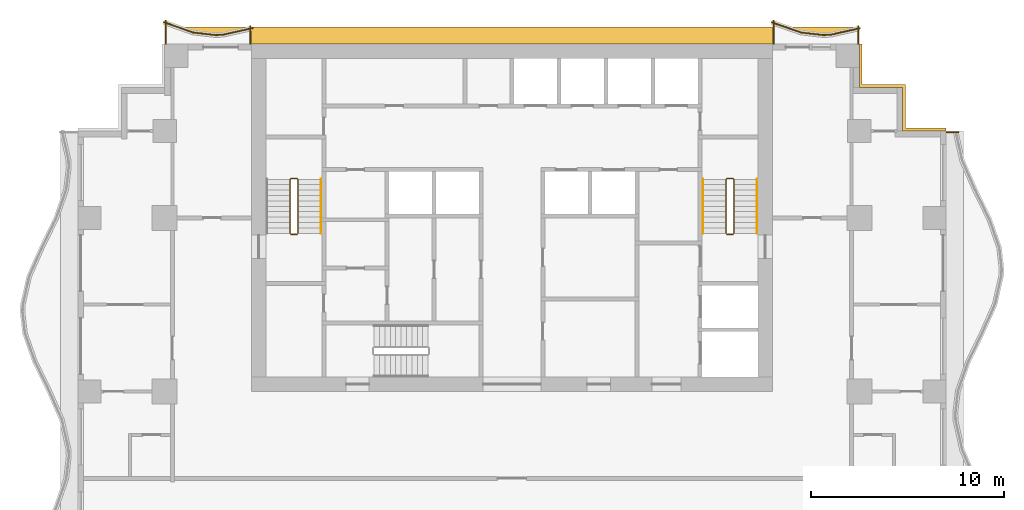
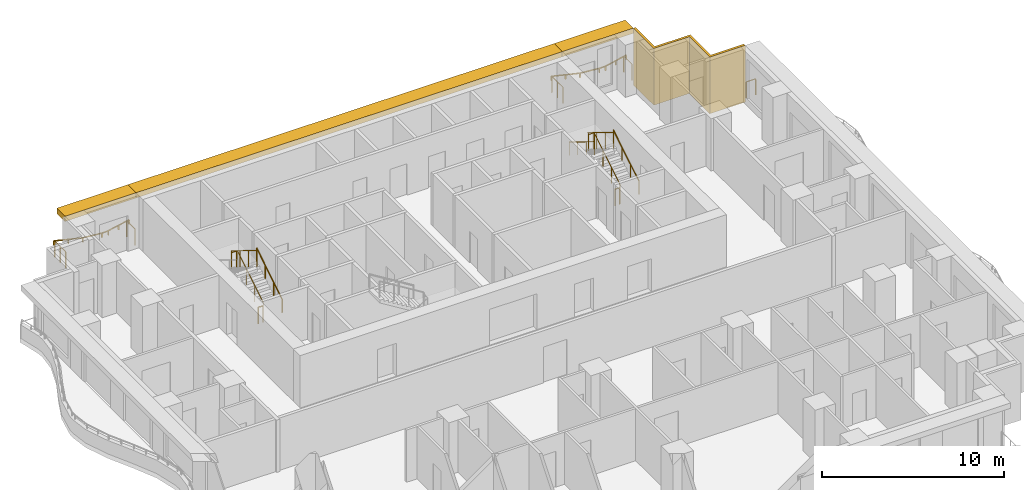
# One storey, part 10 of 10: 14 railings, 4 shading devices.
"""IFC4 building model written with IfcOpenShell, lengths in metres."""

from ifc_helpers import new_model, si_unit, direction, frame, origin, origin_2d, place, context, subcontext, project, spatial, polyline, rectangle, circle, outline, extrude, material, layer, layer_set, type_object, element, save


model = new_model("IFC4")

# Units and contexts
model_context = context("Model", 3, precision=1e-05, world=origin(), true_north=direction((0.0, 1.0)))
body_context = subcontext(model_context, "Body", "Model", "MODEL_VIEW")
ifc_project = project(units=[si_unit("LENGTHUNIT", "METRE"), si_unit("AREAUNIT", "SQUARE_METRE"), si_unit("VOLUMEUNIT", "CUBIC_METRE"), si_unit("PLANEANGLEUNIT", "RADIAN"), si_unit("MASSUNIT", "GRAM", prefix="KILO")], contexts=[model_context])

# Site, building, storey
site_placement = place(None, origin())
site = spatial("IfcSite", under=ifc_project, at=site_placement, CompositionType="ELEMENT")
building_placement = place(site_placement, origin())
building = spatial("IfcBuilding", under=site, at=building_placement, Name="Orbiselva Terraces", CompositionType="ELEMENT")
storey_placement = place(building_placement, frame((0.0, 0.0, 132.6)))
storey = spatial("IfcBuildingStorey", under=building, at=storey_placement, Name="L33", CompositionType="ELEMENT", Elevation=132.6)

# Railings
ifc_material_1 = material(Name="Stainless steel", Category="steel")
railing_type_1 = type_object("IfcRailingType", Name="CORE-GUARD-1100", PredefinedType="GUARDRAIL", material=ifc_material_1)
railing_1_placement = place(storey_placement, frame((-11.1, 12.7, 0.172727)))
element("IfcRailing", 1, at=railing_1_placement, inside=storey, type_object=railing_type_1, Name="L33 S1 stair guard 1", PredefinedType="GUARDRAIL", context=body_context, shape_type="SweptSolid", body=[
    extrude(circle(Radius=0.024, at=origin_2d()), frame((0.0, 0.0, 1.081), z_axis=(0.0, 0.851088519012, 0.52502222125), x_axis=(-1.0, 0.0, 0.0)), (0.0, 0.0, 1.0), 3.289905),
    extrude(circle(Radius=0.024, at=origin_2d()), frame((0.0, 2.8, 2.808273), z_axis=(-0.707106781187, 0.707106781187, 0.0), x_axis=(-0.707106781187, -0.707106781187, 0.0)), (0.0, 0.0, 1.0), 0.070711),
    extrude(circle(Radius=0.024, at=origin_2d()), frame((-0.05, 2.85, 2.808273), z_axis=(-1.0, 0.0, 0.0), x_axis=(0.0, -1.0, 0.0)), (0.0, 0.0, 1.0), 0.3),
    extrude(circle(Radius=0.024, at=origin_2d()), frame((-0.35, 2.85, 2.808273), z_axis=(-0.267894925557, -0.267894925557, 0.925453736133), x_axis=(0.707106781187, -0.707106781187, 0.0)), (0.0, 0.0, 1.0), 0.18664),
    extrude(circle(Radius=0.024, at=origin_2d()), frame((-0.4, 2.8, 2.981), z_axis=(0.0, -0.851088519012, 0.52502222125), x_axis=(1.0, 0.0, 0.0)), (0.0, 0.0, 1.0), 3.289905),
    extrude(circle(Radius=0.021, at=origin_2d()), origin(), (0.0, 0.0, 1.0), 1.057),
    extrude(circle(Radius=0.021, at=origin_2d()), frame((0.0, 0.933333, 0.575758)), (0.0, 0.0, 1.0), 1.057),
    extrude(circle(Radius=0.021, at=origin_2d()), frame((0.0, 1.866667, 1.151515)), (0.0, 0.0, 1.0), 1.057),
    extrude(circle(Radius=0.021, at=origin_2d()), frame((0.0, 2.8, 1.727273)), (0.0, 0.0, 1.0), 1.057),
    extrude(circle(Radius=0.021, at=origin_2d()), frame((-0.05, 2.85, 1.727273)), (0.0, 0.0, 1.0), 1.057),
    extrude(circle(Radius=0.021, at=origin_2d()), frame((-0.35, 2.85, 1.727273)), (0.0, 0.0, 1.0), 1.057),
    extrude(circle(Radius=0.021, at=origin_2d()), frame((-0.4, 2.8, 1.9)), (0.0, 0.0, 1.0), 1.057),
    extrude(circle(Radius=0.021, at=origin_2d()), frame((-0.4, 1.866667, 2.475758)), (0.0, 0.0, 1.0), 1.057),
    extrude(circle(Radius=0.021, at=origin_2d()), frame((-0.4, 0.933333, 3.051515)), (0.0, 0.0, 1.0), 1.057),
    extrude(circle(Radius=0.021, at=origin_2d()), frame((-0.4, 0.0, 3.627273)), (0.0, 0.0, 1.0), 1.057),
])
railing_2_placement = place(storey_placement, frame((-11.15, 12.65, 0.0)))
element("IfcRailing", 2, at=railing_2_placement, inside=storey, type_object=railing_type_1, Name="L33 S1 stair guard 2", PredefinedType="GUARDRAIL", context=body_context, shape_type="SweptSolid", body=[
    extrude(circle(Radius=0.024, at=origin_2d()), frame((0.0, 0.0, 1.081), z_axis=(-1.0, 0.0, 0.0), x_axis=(0.0, -1.0, 0.0)), (0.0, 0.0, 1.0), 0.3),
    extrude(circle(Radius=0.021, at=origin_2d()), origin(), (0.0, 0.0, 1.0), 1.057),
    extrude(circle(Radius=0.021, at=origin_2d()), frame((-0.3, 0.0, 0.0)), (0.0, 0.0, 1.0), 1.057),
])
railing_3_placement = place(storey_placement, frame((11.5, 12.7, 0.172727)))
element("IfcRailing", 3, at=railing_3_placement, inside=storey, type_object=railing_type_1, Name="L33 S2 stair guard 1", PredefinedType="GUARDRAIL", context=body_context, shape_type="SweptSolid", body=[
    extrude(circle(Radius=0.024, at=origin_2d()), frame((0.0, 0.0, 1.081), z_axis=(0.0, 0.851088519012, 0.52502222125), x_axis=(-1.0, 0.0, 0.0)), (0.0, 0.0, 1.0), 3.289905),
    extrude(circle(Radius=0.024, at=origin_2d()), frame((0.0, 2.8, 2.808273), z_axis=(-0.707106781187, 0.707106781187, 0.0), x_axis=(-0.707106781187, -0.707106781187, 0.0)), (0.0, 0.0, 1.0), 0.070711),
    extrude(circle(Radius=0.024, at=origin_2d()), frame((-0.05, 2.85, 2.808273), z_axis=(-1.0, 0.0, 0.0), x_axis=(0.0, -1.0, 0.0)), (0.0, 0.0, 1.0), 0.3),
    extrude(circle(Radius=0.024, at=origin_2d()), frame((-0.35, 2.85, 2.808273), z_axis=(-0.267894925557, -0.267894925557, 0.925453736133), x_axis=(0.707106781187, -0.707106781187, 0.0)), (0.0, 0.0, 1.0), 0.18664),
    extrude(circle(Radius=0.024, at=origin_2d()), frame((-0.4, 2.8, 2.981), z_axis=(0.0, -0.851088519012, 0.52502222125), x_axis=(1.0, 0.0, 0.0)), (0.0, 0.0, 1.0), 3.289905),
    extrude(circle(Radius=0.021, at=origin_2d()), origin(), (0.0, 0.0, 1.0), 1.057),
    extrude(circle(Radius=0.021, at=origin_2d()), frame((0.0, 0.933333, 0.575758)), (0.0, 0.0, 1.0), 1.057),
    extrude(circle(Radius=0.021, at=origin_2d()), frame((0.0, 1.866667, 1.151515)), (0.0, 0.0, 1.0), 1.057),
    extrude(circle(Radius=0.021, at=origin_2d()), frame((0.0, 2.8, 1.727273)), (0.0, 0.0, 1.0), 1.057),
    extrude(circle(Radius=0.021, at=origin_2d()), frame((-0.05, 2.85, 1.727273)), (0.0, 0.0, 1.0), 1.057),
    extrude(circle(Radius=0.021, at=origin_2d()), frame((-0.35, 2.85, 1.727273)), (0.0, 0.0, 1.0), 1.057),
    extrude(circle(Radius=0.021, at=origin_2d()), frame((-0.4, 2.8, 1.9)), (0.0, 0.0, 1.0), 1.057),
    extrude(circle(Radius=0.021, at=origin_2d()), frame((-0.4, 1.866667, 2.475758)), (0.0, 0.0, 1.0), 1.057),
    extrude(circle(Radius=0.021, at=origin_2d()), frame((-0.4, 0.933333, 3.051515)), (0.0, 0.0, 1.0), 1.057),
    extrude(circle(Radius=0.021, at=origin_2d()), frame((-0.4, 0.0, 3.627273)), (0.0, 0.0, 1.0), 1.057),
])
railing_4_placement = place(storey_placement, frame((11.45, 12.65, 0.0)))
element("IfcRailing", 4, at=railing_4_placement, inside=storey, type_object=railing_type_1, Name="L33 S2 stair guard 2", PredefinedType="GUARDRAIL", context=body_context, shape_type="SweptSolid", body=[
    extrude(circle(Radius=0.024, at=origin_2d()), frame((0.0, 0.0, 1.081), z_axis=(-1.0, 0.0, 0.0), x_axis=(0.0, -1.0, 0.0)), (0.0, 0.0, 1.0), 0.3),
    extrude(circle(Radius=0.021, at=origin_2d()), origin(), (0.0, 0.0, 1.0), 1.057),
    extrude(circle(Radius=0.021, at=origin_2d()), frame((-0.3, 0.0, 0.0)), (0.0, 0.0, 1.0), 1.057),
])
railing_type_2 = type_object("IfcRailingType", Name="CORE-HANDRAIL-900", PredefinedType="HANDRAIL", material=ifc_material_1)
for number, where, name in (
    (5, (-9.9, 12.7, 0.172727), "L33 S1 stair handrail 1"),
    (6, (12.7, 12.7, 0.172727), "L33 S2 stair handrail 1"),
):
    element("IfcRailing", number, at=place(storey_placement, frame(where)), inside=storey, type_object=railing_type_2, Name=name, PredefinedType="HANDRAIL", context=body_context, shape_type="SweptSolid", body=[
        extrude(circle(Radius=0.024, at=origin_2d()), frame((0.0, 0.0, 0.876), z_axis=(0.0, 0.851088519012, 0.52502222125), x_axis=(-1.0, 0.0, 0.0)), (0.0, 0.0, 1.0), 3.289905),
        extrude(circle(Radius=0.021, at=origin_2d()), origin(), (0.0, 0.0, 1.0), 0.852),
        extrude(circle(Radius=0.021, at=origin_2d()), frame((0.0, 0.933333, 0.575758)), (0.0, 0.0, 1.0), 0.852),
        extrude(circle(Radius=0.021, at=origin_2d()), frame((0.0, 1.866667, 1.151515)), (0.0, 0.0, 1.0), 0.852),
        extrude(circle(Radius=0.021, at=origin_2d()), frame((0.0, 2.8, 1.727273)), (0.0, 0.0, 1.0), 0.852),
    ])
railing_5_placement = place(storey_placement, frame((9.9, 15.5, 2.072727)))
element("IfcRailing", 7, at=railing_5_placement, inside=storey, type_object=railing_type_2, Name="L33 S2 stair handrail 2", PredefinedType="HANDRAIL", context=body_context, shape_type="SweptSolid", body=[
    extrude(circle(Radius=0.024, at=origin_2d()), frame((0.0, 0.0, 0.876), z_axis=(0.0, -0.851088519012, 0.52502222125), x_axis=(1.0, 0.0, 0.0)), (0.0, 0.0, 1.0), 3.289905),
    extrude(circle(Radius=0.021, at=origin_2d()), origin(), (0.0, 0.0, 1.0), 0.852),
    extrude(circle(Radius=0.021, at=origin_2d()), frame((0.0, -0.933333, 0.575758)), (0.0, 0.0, 1.0), 0.852),
    extrude(circle(Radius=0.021, at=origin_2d()), frame((0.0, -1.866667, 1.151515)), (0.0, 0.0, 1.0), 0.852),
    extrude(circle(Radius=0.021, at=origin_2d()), frame((0.0, -2.8, 1.727273)), (0.0, 0.0, 1.0), 0.852),
])
ifc_material_2 = material(Name="Bonded two-ply safety glass balustrade, stainless steel posts", Category="steel")
railing_type_3 = type_object("IfcRailingType", Name="ENV-BALUSTRADE-1200", PredefinedType="BALUSTRADE", material=ifc_material_2)
railing_6_placement = place(storey_placement, frame((18.027377, 23.329507, 0.9)))
element("IfcRailing", 8, at=railing_6_placement, inside=storey, type_object=railing_type_3, Name="Balcony balustrade L33 NE", PredefinedType="BALUSTRADE", context=body_context, shape_type="SweptSolid", body=[
    extrude(outline(polyline([(0.028868, 0.0), (0.014434, 0.025), (-0.014434, 0.025), (-0.028868, 0.0), (-0.014434, -0.025), (0.014434, -0.025), (0.028868, 0.0)])), frame((0.0, 0.0, 0.275), z_axis=(-0.97572138316, -0.219015484484, 0.0), x_axis=(0.219015484484, -0.97572138316, 0.0)), (0.0, 0.0, 1.0), 1.548694),
    extrude(outline(polyline([(0.028868, 0.0), (0.014434, 0.025), (-0.014434, 0.025), (-0.028868, 0.0), (-0.014434, -0.025), (0.014434, -0.025), (0.028868, 0.0)])), frame((-1.511094, -0.339188, 0.275), z_axis=(-0.999224734286, -0.03936915532, 0.0), x_axis=(0.03936915532, -0.999224734286, 0.0)), (0.0, 0.0, 1.0), 0.396376),
    extrude(outline(polyline([(0.028868, 0.0), (0.014434, 0.025), (-0.014434, 0.025), (-0.028868, 0.0), (-0.014434, -0.025), (0.014434, -0.025), (0.028868, 0.0)])), frame((-1.907163, -0.354793, 0.275), z_axis=(-0.993309551734, 0.115482182324, 0.0), x_axis=(-0.115482182324, -0.993309551734, 0.0)), (0.0, 0.0, 1.0), 1.156135),
    extrude(outline(polyline([(0.028868, 0.0), (0.014434, 0.025), (-0.014434, 0.025), (-0.028868, 0.0), (-0.014434, -0.025), (0.014434, -0.025), (0.028868, 0.0)])), frame((-3.055563, -0.22128, 0.275), z_axis=(-0.943972381216, 0.330024458945, 0.0), x_axis=(-0.330024458945, -0.943972381216, 0.0)), (0.0, 0.0, 1.0), 1.602872),
    extrude(rectangle(XDim=0.05, YDim=0.05, at=origin_2d()), origin(), (0.0, 0.0, 1.0), 0.25),
    extrude(rectangle(XDim=0.05, YDim=0.05, at=origin_2d()), frame((-0.755547, -0.169594, 0.0)), (0.0, 0.0, 1.0), 0.25),
    extrude(rectangle(XDim=0.05, YDim=0.05, at=origin_2d()), frame((-1.511094, -0.339188, 0.0)), (0.0, 0.0, 1.0), 0.25),
    extrude(rectangle(XDim=0.05, YDim=0.05, at=origin_2d()), frame((-1.907163, -0.354793, 0.0)), (0.0, 0.0, 1.0), 0.25),
    extrude(rectangle(XDim=0.05, YDim=0.05, at=origin_2d()), frame((-3.055563, -0.22128, 0.0)), (0.0, 0.0, 1.0), 0.25),
    extrude(rectangle(XDim=0.05, YDim=0.05, at=origin_2d()), frame((-3.812097, 0.043214, 0.0)), (0.0, 0.0, 1.0), 0.25),
    extrude(rectangle(XDim=0.05, YDim=0.05, at=origin_2d()), frame((-4.56863, 0.307707, 0.0)), (0.0, 0.0, 1.0), 0.25),
])
railing_7_placement = place(storey_placement, frame((-13.472623, 23.329507, 0.9)))
element("IfcRailing", 9, at=railing_7_placement, inside=storey, type_object=railing_type_3, Name="Balcony balustrade L33 NW", PredefinedType="BALUSTRADE", context=body_context, shape_type="SweptSolid", body=[
    extrude(outline(polyline([(0.028868, 0.0), (0.014434, 0.025), (-0.014434, 0.025), (-0.028868, 0.0), (-0.014434, -0.025), (0.014434, -0.025), (0.028868, 0.0)])), frame((0.0, 0.0, 0.275), z_axis=(-0.97572138316, -0.219015484484, 0.0), x_axis=(0.219015484484, -0.97572138316, 0.0)), (0.0, 0.0, 1.0), 1.548694),
    extrude(outline(polyline([(0.028868, 0.0), (0.014434, 0.025), (-0.014434, 0.025), (-0.028868, 0.0), (-0.014434, -0.025), (0.014434, -0.025), (0.028868, 0.0)])), frame((-1.511094, -0.339188, 0.275), z_axis=(-0.999224734286, -0.03936915532, 0.0), x_axis=(0.03936915532, -0.999224734286, 0.0)), (0.0, 0.0, 1.0), 0.396376),
    extrude(outline(polyline([(0.028868, 0.0), (0.014434, 0.025), (-0.014434, 0.025), (-0.028868, 0.0), (-0.014434, -0.025), (0.014434, -0.025), (0.028868, 0.0)])), frame((-1.907163, -0.354793, 0.275), z_axis=(-0.993309551734, 0.115482182324, 0.0), x_axis=(-0.115482182324, -0.993309551734, 0.0)), (0.0, 0.0, 1.0), 1.156135),
    extrude(outline(polyline([(0.028868, 0.0), (0.014434, 0.025), (-0.014434, 0.025), (-0.028868, 0.0), (-0.014434, -0.025), (0.014434, -0.025), (0.028868, 0.0)])), frame((-3.055563, -0.22128, 0.275), z_axis=(-0.943972381216, 0.330024458945, 0.0), x_axis=(-0.330024458945, -0.943972381216, 0.0)), (0.0, 0.0, 1.0), 1.602872),
    extrude(rectangle(XDim=0.05, YDim=0.05, at=origin_2d()), origin(), (0.0, 0.0, 1.0), 0.25),
    extrude(rectangle(XDim=0.05, YDim=0.05, at=origin_2d()), frame((-0.755547, -0.169594, 0.0)), (0.0, 0.0, 1.0), 0.25),
    extrude(rectangle(XDim=0.05, YDim=0.05, at=origin_2d()), frame((-1.511094, -0.339188, 0.0)), (0.0, 0.0, 1.0), 0.25),
    extrude(rectangle(XDim=0.05, YDim=0.05, at=origin_2d()), frame((-1.907163, -0.354793, 0.0)), (0.0, 0.0, 1.0), 0.25),
    extrude(rectangle(XDim=0.05, YDim=0.05, at=origin_2d()), frame((-3.055563, -0.22128, 0.0)), (0.0, 0.0, 1.0), 0.25),
    extrude(rectangle(XDim=0.05, YDim=0.05, at=origin_2d()), frame((-3.812097, 0.043214, 0.0)), (0.0, 0.0, 1.0), 0.25),
    extrude(rectangle(XDim=0.05, YDim=0.05, at=origin_2d()), frame((-4.56863, 0.307707, 0.0)), (0.0, 0.0, 1.0), 0.25),
])
ifc_material_3 = material(Name="Stainless steel rail and posts", Category="steel")
railing_type_4 = type_object("IfcRailingType", Name="ENV-GUARD-1105", PredefinedType="BALUSTRADE", material=ifc_material_3)
railing_8_placement = place(storey_placement, frame((23.119866, 17.94, 0.0)))
element("IfcRailing", 10, at=railing_8_placement, inside=storey, type_object=railing_type_4, Name="Balcony end guard L33 E", PredefinedType="BALUSTRADE", context=body_context, shape_type="SweptSolid", body=[
    extrude(outline(polyline([(0.028868, 0.0), (0.014434, 0.025), (-0.014434, 0.025), (-0.028868, 0.0), (-0.014434, -0.025), (0.014434, -0.025), (0.028868, 0.0)])), frame((0.0, 0.0, 1.08), z_axis=(-1.0, 0.0, 0.0), x_axis=(0.0, -1.0, 0.0)), (0.0, 0.0, 1.0), 0.594866),
    extrude(rectangle(XDim=0.05, YDim=0.05, at=origin_2d()), origin(), (0.0, 0.0, 1.0), 1.055),
    extrude(rectangle(XDim=0.05, YDim=0.05, at=origin_2d()), frame((-0.594866, 0.0, 0.0)), (0.0, 0.0, 1.0), 1.055),
])
railing_9_placement = place(storey_placement, frame((17.94, 23.430416, 0.0)))
element("IfcRailing", 11, at=railing_9_placement, inside=storey, type_object=railing_type_4, Name="Balcony end guard L33 NE", PredefinedType="BALUSTRADE", context=body_context, shape_type="SweptSolid", body=[
    extrude(outline(polyline([(0.028868, 0.0), (0.014434, 0.025), (-0.014434, 0.025), (-0.028868, 0.0), (-0.014434, -0.025), (0.014434, -0.025), (0.028868, 0.0)])), frame((0.0, 0.0, 1.08), z_axis=(0.0, -1.0, 0.0), x_axis=(1.0, 0.0, 0.0)), (0.0, 0.0, 1.0), 0.905416),
    extrude(rectangle(XDim=0.05, YDim=0.05, at=origin_2d()), origin(), (0.0, 0.0, 1.0), 1.055),
    extrude(rectangle(XDim=0.05, YDim=0.05, at=origin_2d()), frame((0.0, -0.905416, 0.0)), (0.0, 0.0, 1.0), 1.055),
])
railing_10_placement = place(storey_placement, frame((13.56, 23.728514, 0.0)))
element("IfcRailing", 12, at=railing_10_placement, inside=storey, type_object=railing_type_4, Name="Balcony end guard L33 NE", PredefinedType="BALUSTRADE", context=body_context, shape_type="SweptSolid", body=[
    extrude(outline(polyline([(0.028868, 0.0), (0.014434, 0.025), (-0.014434, 0.025), (-0.028868, 0.0), (-0.014434, -0.025), (0.014434, -0.025), (0.028868, 0.0)])), frame((0.0, 0.0, 1.08), z_axis=(0.0, -1.0, 0.0), x_axis=(1.0, 0.0, 0.0)), (0.0, 0.0, 1.0), 1.203514),
    extrude(rectangle(XDim=0.05, YDim=0.05, at=origin_2d()), origin(), (0.0, 0.0, 1.0), 1.055),
    extrude(rectangle(XDim=0.05, YDim=0.05, at=origin_2d()), frame((0.0, -0.601757, 0.0)), (0.0, 0.0, 1.0), 1.055),
    extrude(rectangle(XDim=0.05, YDim=0.05, at=origin_2d()), frame((0.0, -1.203514, 0.0)), (0.0, 0.0, 1.0), 1.055),
])
railing_11_placement = place(storey_placement, frame((-13.56, 23.430416, 0.0)))
element("IfcRailing", 13, at=railing_11_placement, inside=storey, type_object=railing_type_4, Name="Balcony end guard L33 NW", PredefinedType="BALUSTRADE", context=body_context, shape_type="SweptSolid", body=[
    extrude(outline(polyline([(0.028868, 0.0), (0.014434, 0.025), (-0.014434, 0.025), (-0.028868, 0.0), (-0.014434, -0.025), (0.014434, -0.025), (0.028868, 0.0)])), frame((0.0, 0.0, 1.08), z_axis=(0.0, -1.0, 0.0), x_axis=(1.0, 0.0, 0.0)), (0.0, 0.0, 1.0), 0.905416),
    extrude(rectangle(XDim=0.05, YDim=0.05, at=origin_2d()), origin(), (0.0, 0.0, 1.0), 1.055),
    extrude(rectangle(XDim=0.05, YDim=0.05, at=origin_2d()), frame((0.0, -0.905416, 0.0)), (0.0, 0.0, 1.0), 1.055),
])
railing_12_placement = place(storey_placement, frame((-17.94, 23.728514, 0.0)))
element("IfcRailing", 14, at=railing_12_placement, inside=storey, type_object=railing_type_4, Name="Balcony end guard L33 NW", PredefinedType="BALUSTRADE", context=body_context, shape_type="SweptSolid", body=[
    extrude(outline(polyline([(0.028868, 0.0), (0.014434, 0.025), (-0.014434, 0.025), (-0.028868, 0.0), (-0.014434, -0.025), (0.014434, -0.025), (0.028868, 0.0)])), frame((0.0, 0.0, 1.08), z_axis=(0.0, -1.0, 0.0), x_axis=(1.0, 0.0, 0.0)), (0.0, 0.0, 1.0), 1.203514),
    extrude(rectangle(XDim=0.05, YDim=0.05, at=origin_2d()), origin(), (0.0, 0.0, 1.0), 1.055),
    extrude(rectangle(XDim=0.05, YDim=0.05, at=origin_2d()), frame((0.0, -0.601757, 0.0)), (0.0, 0.0, 1.0), 1.055),
    extrude(rectangle(XDim=0.05, YDim=0.05, at=origin_2d()), frame((0.0, -1.203514, 0.0)), (0.0, 0.0, 1.0), 1.055),
])

# Shading devices
ifc_material_4 = material(Name="Terracotta louvre screen", Category="masonry")
ifc_layer_1 = layer(ifc_material_4, 0.15)
ifc_layer_set_1 = layer_set([ifc_layer_1], Name="Terracotta louvre screen")
shading_device_type_1 = type_object("IfcShadingDeviceType", Name="ENV-SCREEN-150", PredefinedType="USERDEFINED", material=ifc_layer_set_1)
shading_device_1_placement = place(storey_placement, frame((0.0, 0.0, -0.3)))
element("IfcShadingDevice", 15, at=shading_device_1_placement, inside=storey, type_object=shading_device_type_1, Name="Louvre screen L33 NE", ObjectType="SCREEN", PredefinedType="USERDEFINED", context=body_context, shape_type="SweptSolid", body=[
    extrude(outline(polyline([(22.5, 18.15), (20.4, 18.15), (20.4, 20.4), (18.15, 20.4), (18.15, 22.5), (18.0, 22.5), (18.0, 20.25), (20.25, 20.25), (20.25, 18.0), (22.5, 18.0), (22.5, 18.15)])), origin(), (0.0, 0.0, 1.0), 3.8),
])
ifc_material_5 = material(Name="Terracotta baguette sunshade", Category="masonry")
ifc_layer_2 = layer(ifc_material_5, 0.35)
ifc_layer_set_2 = layer_set([ifc_layer_2], Name="Terracotta baguette sunshade")
shading_device_type_2 = type_object("IfcShadingDeviceType", Name="ENV-SUNSHADE-900x350", PredefinedType="USERDEFINED", material=ifc_layer_set_2)
shading_device_2_placement = place(storey_placement, frame((0.0, 0.0, 3.15)))
element("IfcShadingDevice", 16, at=shading_device_2_placement, inside=storey, type_object=shading_device_type_2, Name="Sunshade band L33 NE", ObjectType="SUNSHADE", PredefinedType="USERDEFINED", context=body_context, shape_type="SweptSolid", body=[
    extrude(outline(polyline([(18.0, 23.4), (13.5, 23.4), (13.5, 22.5), (18.0, 22.5), (18.0, 23.4)])), origin(), (0.0, 0.0, 1.0), 0.35),
])
shading_device_3_placement = place(storey_placement, frame((0.0, 0.0, 3.15)))
element("IfcShadingDevice", 17, at=shading_device_3_placement, inside=storey, type_object=shading_device_type_2, Name="Sunshade band L33 CORE NORTH", ObjectType="SUNSHADE", PredefinedType="USERDEFINED", context=body_context, shape_type="SweptSolid", body=[
    extrude(outline(polyline([(13.5, 23.4), (-13.5, 23.4), (-13.5, 22.5), (13.5, 22.5), (13.5, 23.4)])), origin(), (0.0, 0.0, 1.0), 0.35),
])
shading_device_4_placement = place(storey_placement, frame((0.0, 0.0, 3.15)))
element("IfcShadingDevice", 18, at=shading_device_4_placement, inside=storey, type_object=shading_device_type_2, Name="Sunshade band L33 NW", ObjectType="SUNSHADE", PredefinedType="USERDEFINED", context=body_context, shape_type="SweptSolid", body=[
    extrude(outline(polyline([(-13.5, 23.4), (-18.0, 23.4), (-18.0, 22.5), (-13.5, 22.5), (-13.5, 23.4)])), origin(), (0.0, 0.0, 1.0), 0.35),
])

save(model, "model.ifc")
